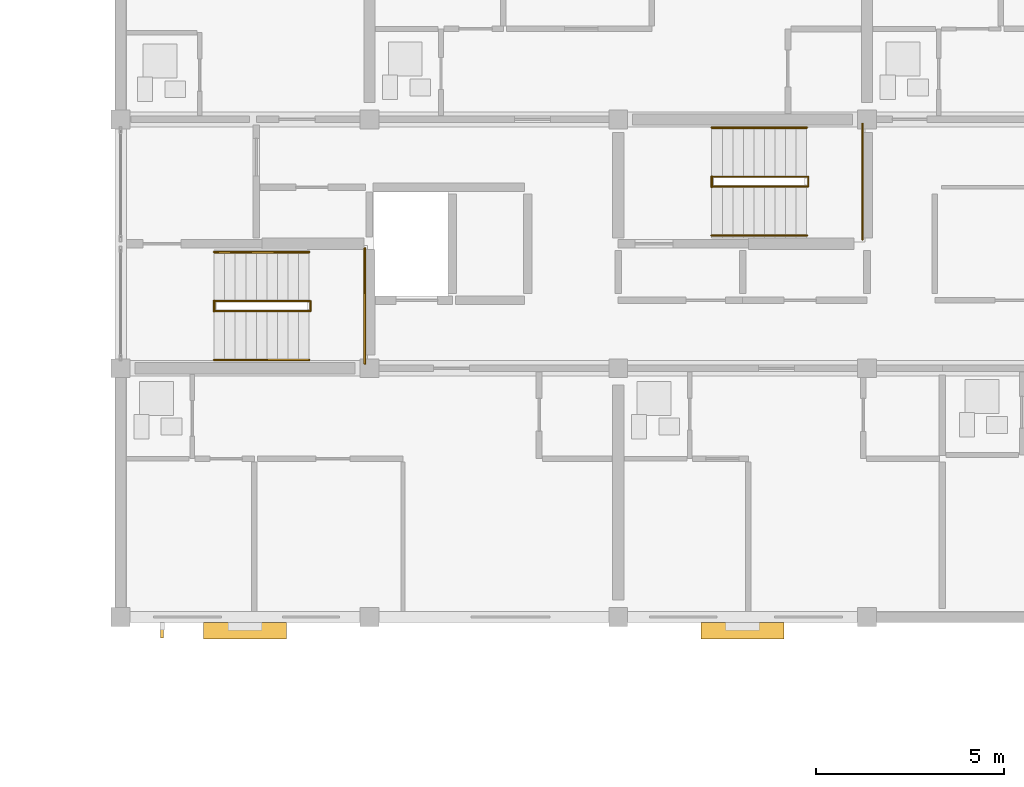
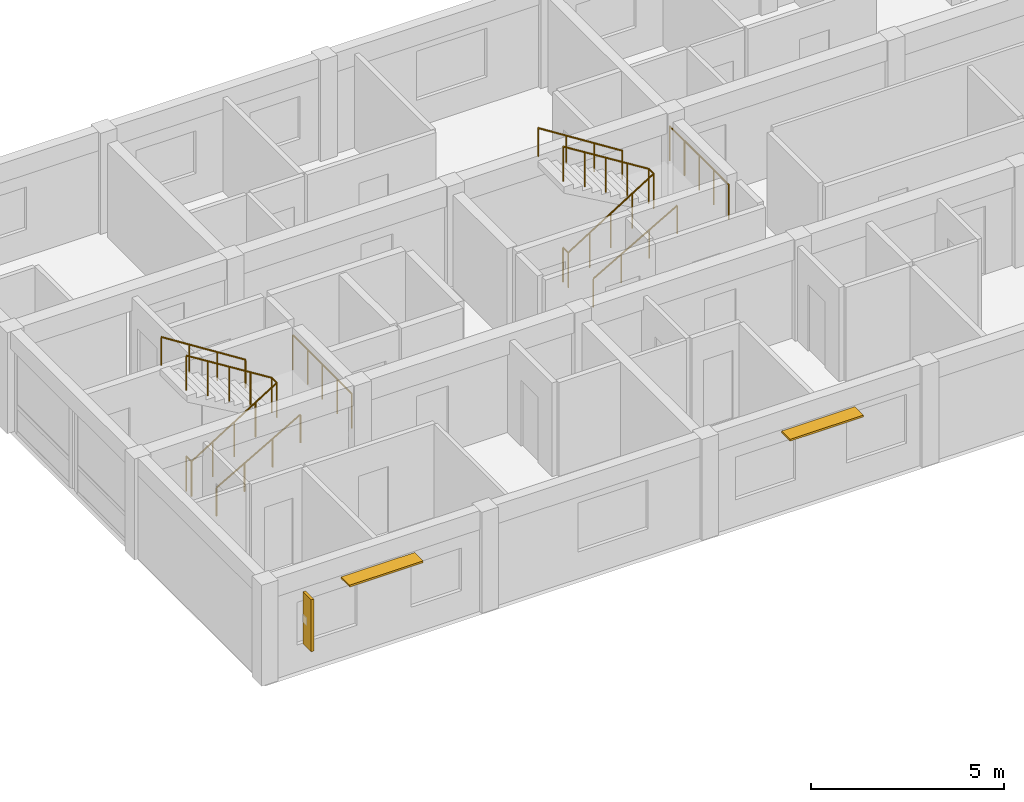
# One storey, part 47 of 49: 10 railings, 3 shading devices.
"""IFC4 building model written with IfcOpenShell, lengths in metres."""

from ifc_helpers import new_model, si_unit, direction, frame, origin, origin_2d, place, context, subcontext, project, spatial, rectangle, circle, extrude, material, layer, layer_set, type_object, element, save


model = new_model("IFC4")

# Units and contexts
model_context = context("Model", 3, precision=1e-05, world=origin(), true_north=direction((0.0, 1.0)))
body_context = subcontext(model_context, "Body", "Model", "MODEL_VIEW")
ifc_project = project(units=[si_unit("LENGTHUNIT", "METRE"), si_unit("AREAUNIT", "SQUARE_METRE"), si_unit("VOLUMEUNIT", "CUBIC_METRE"), si_unit("PLANEANGLEUNIT", "RADIAN"), si_unit("MASSUNIT", "GRAM", prefix="KILO")], contexts=[model_context])

# Site, building, storey
site_placement = place(None, origin())
site = spatial("IfcSite", under=ifc_project, at=site_placement, CompositionType="ELEMENT")
building_placement = place(site_placement, origin())
building = spatial("IfcBuilding", under=site, at=building_placement, Name="Kernevlak Ridge Housing Community", CompositionType="ELEMENT")
storey_placement = place(building_placement, frame((0.0, 0.0, 30.800048828125)))
storey = spatial("IfcBuildingStorey", under=building, at=storey_placement, Name="L09", CompositionType="ELEMENT", Elevation=30.800048828125)

# Railings
ifc_material_1 = material(Name="Steel S355", Category="steel")
railing_type_1 = type_object("IfcRailingType", Name="GR-02", PredefinedType="GUARDRAIL", material=ifc_material_1)
railing_1_placement = place(storey_placement, frame((121.8798828125, 90.7099609375, 0.0)))
element("IfcRailing", 1, at=railing_1_placement, inside=storey, type_object=railing_type_1, Name="Stair ST-B1 L09 well slot guard", PredefinedType="GUARDRAIL", context=body_context, shape_type="SweptSolid", body=[
    extrude(circle(Radius=0.02392578125, at=origin_2d()), frame((0.0, 0.0, 1.09619140625), z_axis=(0.0, 1.0, 0.0), x_axis=(-1.0, 0.0, 0.0)), (0.0, 0.0, 1.0), 0.280029296875),
    extrude(circle(Radius=0.02099609375, at=origin_2d()), origin(), (0.0, 0.0, 1.0), 1.072021484375),
    extrude(circle(Radius=0.02099609375, at=origin_2d()), frame((0.0, 0.280029296875, 0.0)), (0.0, 0.0, 1.0), 1.072021484375),
])
railing_2_placement = place(storey_placement, frame((121.8798828125, 90.719970703125, 0.0)))
element("IfcRailing", 2, at=railing_2_placement, inside=storey, type_object=railing_type_1, Name="Stair ST-B1 L09 inner well guardrail", PredefinedType="GUARDRAIL", context=body_context, shape_type="SweptSolid", body=[
    extrude(circle(Radius=0.02392578125, at=origin_2d()), frame((0.0, 0.0, 1.09619140625), z_axis=(0.848025563165, 0.0, 0.529955322851), x_axis=(0.0, 1.0, 0.0)), (0.0, 0.0, 1.0), 3.018798828125),
    extrude(circle(Radius=0.02392578125, at=origin_2d()), frame((2.56005859375, 0.0, 2.69580078125), z_axis=(0.0, 1.0, 0.0), x_axis=(-1.0, 0.0, 0.0)), (0.0, 0.0, 1.0), 0.260009765625),
    extrude(circle(Radius=0.02392578125, at=origin_2d()), frame((2.56005859375, 0.260009765625, 2.69580078125), z_axis=(-0.847989217509, 0.0, 0.530013478119), x_axis=(0.0, -1.0, 0.0)), (0.0, 0.0, 1.0), 3.01904296875),
    extrude(circle(Radius=0.02099609375, at=origin_2d()), origin(), (0.0, 0.0, 1.0), 1.072021484375),
    extrude(circle(Radius=0.02099609375, at=origin_2d()), frame((0.64013671875, 0.0, 0.39990234375)), (0.0, 0.0, 1.0), 1.072021484375),
    extrude(circle(Radius=0.02099609375, at=origin_2d()), frame((1.280029296875, 0.0, 0.7998046875)), (0.0, 0.0, 1.0), 1.072021484375),
    extrude(circle(Radius=0.02099609375, at=origin_2d()), frame((1.919921875, 0.0, 1.199951171875)), (0.0, 0.0, 1.0), 1.072021484375),
    extrude(circle(Radius=0.02099609375, at=origin_2d()), frame((2.56005859375, 0.0, 1.599853515625)), (0.0, 0.0, 1.0), 1.072021484375),
    extrude(circle(Radius=0.02099609375, at=origin_2d()), frame((2.56005859375, 0.260009765625, 1.599853515625)), (0.0, 0.0, 1.0), 1.072021484375),
    extrude(circle(Radius=0.02099609375, at=origin_2d()), frame((1.919921875, 0.260009765625, 2.0)), (0.0, 0.0, 1.0), 1.072021484375),
    extrude(circle(Radius=0.02099609375, at=origin_2d()), frame((1.280029296875, 0.260009765625, 2.39990234375)), (0.0, 0.0, 1.0), 1.072021484375),
    extrude(circle(Radius=0.02099609375, at=origin_2d()), frame((0.64013671875, 0.260009765625, 2.7998046875)), (0.0, 0.0, 1.0), 1.072021484375),
    extrude(circle(Radius=0.02099609375, at=origin_2d()), frame((0.0, 0.260009765625, 3.199951171875)), (0.0, 0.0, 1.0), 1.072021484375),
])
railing_3_placement = place(storey_placement, frame((125.8798828125, 89.320068359375, 1.599853515625)))
element("IfcRailing", 3, at=railing_3_placement, inside=storey, type_object=railing_type_1, Name="Stair ST-B1 L09 half-landing guard", PredefinedType="GUARDRAIL", context=body_context, shape_type="SweptSolid", body=[
    extrude(circle(Radius=0.02392578125, at=origin_2d()), frame((0.0, 0.0, 1.09619140625), z_axis=(0.0, 1.0, 0.0), x_axis=(-1.0, 0.0, 0.0)), (0.0, 0.0, 1.0), 3.059814453125),
    extrude(circle(Radius=0.02099609375, at=origin_2d()), origin(), (0.0, 0.0, 1.0), 1.072021484375),
    extrude(circle(Radius=0.02099609375, at=origin_2d()), frame((0.0, 0.764892578125, 0.0)), (0.0, 0.0, 1.0), 1.072021484375),
    extrude(circle(Radius=0.02099609375, at=origin_2d()), frame((0.0, 1.52978515625, 0.0)), (0.0, 0.0, 1.0), 1.072021484375),
    extrude(circle(Radius=0.02099609375, at=origin_2d()), frame((0.0, 2.294921875, 0.0)), (0.0, 0.0, 1.0), 1.072021484375),
    extrude(circle(Radius=0.02099609375, at=origin_2d()), frame((0.0, 3.059814453125, 0.0)), (0.0, 0.0, 1.0), 1.072021484375),
])
railing_4_placement = place(storey_placement, frame((135.080078125, 94.010009765625, 0.0)))
element("IfcRailing", 4, at=railing_4_placement, inside=storey, type_object=railing_type_1, Name="Stair ST-B2 L09 well slot guard", PredefinedType="GUARDRAIL", context=body_context, shape_type="SweptSolid", body=[
    extrude(circle(Radius=0.02392578125, at=origin_2d()), frame((0.0, 0.0, 1.09619140625), z_axis=(0.0, 1.0, 0.0), x_axis=(-1.0, 0.0, 0.0)), (0.0, 0.0, 1.0), 0.280029296875),
    extrude(circle(Radius=0.02099609375, at=origin_2d()), origin(), (0.0, 0.0, 1.0), 1.072021484375),
    extrude(circle(Radius=0.02099609375, at=origin_2d()), frame((0.0, 0.280029296875, 0.0)), (0.0, 0.0, 1.0), 1.072021484375),
])
railing_5_placement = place(storey_placement, frame((135.080078125, 94.02001953125, 0.0)))
element("IfcRailing", 5, at=railing_5_placement, inside=storey, type_object=railing_type_1, Name="Stair ST-B2 L09 inner well guardrail", PredefinedType="GUARDRAIL", context=body_context, shape_type="SweptSolid", body=[
    extrude(circle(Radius=0.02392578125, at=origin_2d()), frame((0.0, 0.0, 1.09619140625), z_axis=(0.848002847666, 0.0, 0.529991670077), x_axis=(0.0, 1.0, 0.0)), (0.0, 0.0, 1.0), 3.0185546875),
    extrude(circle(Radius=0.02392578125, at=origin_2d()), frame((2.559814453125, 0.0, 2.69580078125), z_axis=(0.0, 1.0, 0.0), x_axis=(-1.0, 0.0, 0.0)), (0.0, 0.0, 1.0), 0.260009765625),
    extrude(circle(Radius=0.02392578125, at=origin_2d()), frame((2.559814453125, 0.260009765625, 2.69580078125), z_axis=(-0.847966497998, 0.0, 0.530049826217), x_axis=(0.0, -1.0, 0.0)), (0.0, 0.0, 1.0), 3.018798828125),
    extrude(circle(Radius=0.02099609375, at=origin_2d()), origin(), (0.0, 0.0, 1.0), 1.072021484375),
    extrude(circle(Radius=0.02099609375, at=origin_2d()), frame((0.639892578125, 0.0, 0.39990234375)), (0.0, 0.0, 1.0), 1.072021484375),
    extrude(circle(Radius=0.02099609375, at=origin_2d()), frame((1.27978515625, 0.0, 0.7998046875)), (0.0, 0.0, 1.0), 1.072021484375),
    extrude(circle(Radius=0.02099609375, at=origin_2d()), frame((1.919921875, 0.0, 1.199951171875)), (0.0, 0.0, 1.0), 1.072021484375),
    extrude(circle(Radius=0.02099609375, at=origin_2d()), frame((2.559814453125, 0.0, 1.599853515625)), (0.0, 0.0, 1.0), 1.072021484375),
    extrude(circle(Radius=0.02099609375, at=origin_2d()), frame((2.559814453125, 0.260009765625, 1.599853515625)), (0.0, 0.0, 1.0), 1.072021484375),
    extrude(circle(Radius=0.02099609375, at=origin_2d()), frame((1.919921875, 0.260009765625, 2.0)), (0.0, 0.0, 1.0), 1.072021484375),
    extrude(circle(Radius=0.02099609375, at=origin_2d()), frame((1.27978515625, 0.260009765625, 2.39990234375)), (0.0, 0.0, 1.0), 1.072021484375),
    extrude(circle(Radius=0.02099609375, at=origin_2d()), frame((0.639892578125, 0.260009765625, 2.7998046875)), (0.0, 0.0, 1.0), 1.072021484375),
    extrude(circle(Radius=0.02099609375, at=origin_2d()), frame((0.0, 0.260009765625, 3.199951171875)), (0.0, 0.0, 1.0), 1.072021484375),
])
railing_6_placement = place(storey_placement, frame((139.080078125, 92.6201171875, 1.599853515625)))
element("IfcRailing", 6, at=railing_6_placement, inside=storey, type_object=railing_type_1, Name="Stair ST-B2 L09 half-landing guard", PredefinedType="GUARDRAIL", context=body_context, shape_type="SweptSolid", body=[
    extrude(circle(Radius=0.02392578125, at=origin_2d()), frame((0.0, 0.0, 1.09619140625), z_axis=(0.0, 1.0, 0.0), x_axis=(-1.0, 0.0, 0.0)), (0.0, 0.0, 1.0), 3.059814453125),
    extrude(circle(Radius=0.02099609375, at=origin_2d()), origin(), (0.0, 0.0, 1.0), 1.072021484375),
    extrude(circle(Radius=0.02099609375, at=origin_2d()), frame((0.0, 0.764892578125, 0.0)), (0.0, 0.0, 1.0), 1.072021484375),
    extrude(circle(Radius=0.02099609375, at=origin_2d()), frame((0.0, 1.52978515625, 0.0)), (0.0, 0.0, 1.0), 1.072021484375),
    extrude(circle(Radius=0.02099609375, at=origin_2d()), frame((0.0, 2.294921875, 0.0)), (0.0, 0.0, 1.0), 1.072021484375),
    extrude(circle(Radius=0.02099609375, at=origin_2d()), frame((0.0, 3.059814453125, 0.0)), (0.0, 0.0, 1.0), 1.072021484375),
])
ifc_material_2 = material(Name="Stainless steel EN 1.4401", Category="steel")
railing_type_2 = type_object("IfcRailingType", Name="HR-01", PredefinedType="HANDRAIL", material=ifc_material_2)
railing_7_placement = place(storey_placement, frame((121.8798828125, 89.419921875, 0.159912109375)))
element("IfcRailing", 7, at=railing_7_placement, inside=storey, type_object=railing_type_2, Name="Stair ST-B1 L09 flight 1 handrail", PredefinedType="HANDRAIL", context=body_context, shape_type="SweptSolid", body=[
    extrude(circle(Radius=0.02392578125, at=origin_2d()), frame((0.0, 0.0, 0.89599609375), z_axis=(0.868253494771, 0.0, 0.496120820787), x_axis=(0.0, 1.0, 0.0)), (0.0, 0.0, 1.0), 2.90234375),
    extrude(circle(Radius=0.02099609375, at=origin_2d()), origin(), (0.0, 0.0, 1.0), 0.871826171875),
    extrude(circle(Radius=0.02099609375, at=origin_2d()), frame((0.840087890625, 0.0, 0.47998046875)), (0.0, 0.0, 1.0), 0.871826171875),
    extrude(circle(Radius=0.02099609375, at=origin_2d()), frame((1.679931640625, 0.0, 0.9599609375)), (0.0, 0.0, 1.0), 0.871826171875),
    extrude(circle(Radius=0.02099609375, at=origin_2d()), frame((2.52001953125, 0.0, 1.43994140625)), (0.0, 0.0, 1.0), 0.871826171875),
])
railing_8_placement = place(storey_placement, frame((124.39990234375, 92.280029296875, 1.599853515625)))
element("IfcRailing", 8, at=railing_8_placement, inside=storey, type_object=railing_type_2, Name="Stair ST-B1 L09 flight 2 handrail", PredefinedType="HANDRAIL", context=body_context, shape_type="SweptSolid", body=[
    extrude(circle(Radius=0.02392578125, at=origin_2d()), frame((0.0, 0.0, 0.89599609375), z_axis=(-0.844199891302, 0.0, 0.536028491338), x_axis=(0.0, -1.0, 0.0)), (0.0, 0.0, 1.0), 2.985107421875),
    extrude(circle(Radius=0.02099609375, at=origin_2d()), origin(), (0.0, 0.0, 1.0), 0.871826171875),
    extrude(circle(Radius=0.02099609375, at=origin_2d()), frame((-0.840087890625, 0.0, 0.533447265625)), (0.0, 0.0, 1.0), 0.871826171875),
    extrude(circle(Radius=0.02099609375, at=origin_2d()), frame((-1.679931640625, 0.0, 1.066650390625)), (0.0, 0.0, 1.0), 0.871826171875),
    extrude(circle(Radius=0.02099609375, at=origin_2d()), frame((-2.52001953125, 0.0, 1.60009765625)), (0.0, 0.0, 1.0), 0.871826171875),
])
railing_9_placement = place(storey_placement, frame((135.080078125, 92.719970703125, 0.159912109375)))
element("IfcRailing", 9, at=railing_9_placement, inside=storey, type_object=railing_type_2, Name="Stair ST-B2 L09 flight 1 handrail", PredefinedType="HANDRAIL", context=body_context, shape_type="SweptSolid", body=[
    extrude(circle(Radius=0.02392578125, at=origin_2d()), frame((0.0, 0.0, 0.89599609375), z_axis=(0.868253494771, 0.0, 0.496120820787), x_axis=(0.0, 1.0, 0.0)), (0.0, 0.0, 1.0), 2.90234375),
    extrude(circle(Radius=0.02099609375, at=origin_2d()), origin(), (0.0, 0.0, 1.0), 0.871826171875),
    extrude(circle(Radius=0.02099609375, at=origin_2d()), frame((0.840087890625, 0.0, 0.47998046875)), (0.0, 0.0, 1.0), 0.871826171875),
    extrude(circle(Radius=0.02099609375, at=origin_2d()), frame((1.679931640625, 0.0, 0.9599609375)), (0.0, 0.0, 1.0), 0.871826171875),
    extrude(circle(Radius=0.02099609375, at=origin_2d()), frame((2.52001953125, 0.0, 1.43994140625)), (0.0, 0.0, 1.0), 0.871826171875),
])
railing_10_placement = place(storey_placement, frame((137.60009765625, 95.580078125, 1.599853515625)))
element("IfcRailing", 10, at=railing_10_placement, inside=storey, type_object=railing_type_2, Name="Stair ST-B2 L09 flight 2 handrail", PredefinedType="HANDRAIL", context=body_context, shape_type="SweptSolid", body=[
    extrude(circle(Radius=0.02392578125, at=origin_2d()), frame((0.0, 0.0, 0.89599609375), z_axis=(-0.844199891302, 0.0, 0.536028491338), x_axis=(0.0, -1.0, 0.0)), (0.0, 0.0, 1.0), 2.985107421875),
    extrude(circle(Radius=0.02099609375, at=origin_2d()), origin(), (0.0, 0.0, 1.0), 0.871826171875),
    extrude(circle(Radius=0.02099609375, at=origin_2d()), frame((-0.840087890625, 0.0, 0.533447265625)), (0.0, 0.0, 1.0), 0.871826171875),
    extrude(circle(Radius=0.02099609375, at=origin_2d()), frame((-1.679931640625, 0.0, 1.066650390625)), (0.0, 0.0, 1.0), 0.871826171875),
    extrude(circle(Radius=0.02099609375, at=origin_2d()), frame((-2.52001953125, 0.0, 1.60009765625)), (0.0, 0.0, 1.0), 0.871826171875),
])

# Shading devices
ifc_material_3 = material(Name="Aluminium EN AW-6060 anodised", Category="aluminium")
ifc_layer = layer(ifc_material_3, 0.06005859375, Name="Aluminium EN AW-6060 anodised")
ifc_layer_set = layer_set([ifc_layer], Name="Aluminium EN AW-6060 anodised")
shading_device_type_1 = type_object("IfcShadingDeviceType", Name="LV-01", PredefinedType="JALOUSIE", material=ifc_layer_set)
for number, where, z_axis, x_axis, name in (
    (11, (122.699951171875, 82.239990234375, 2.489990234375), (0.0, 0.0, 1.0), (1.0, 0.0, 0.0), "Horizontal solar louvre 23"),
    (12, (135.89990234375, 82.239990234375, 2.489990234375), (0.0, 0.0, 1.0), (1.0, 0.0, 0.0), "Horizontal solar louvre 24"),
):
    element("IfcShadingDevice", number, at=place(storey_placement, frame(where, z_axis=z_axis, x_axis=x_axis)), inside=storey, type_object=shading_device_type_1, Name=name, PredefinedType="JALOUSIE", context=body_context, shape_type="SweptSolid", body=[
        extrude(rectangle(XDim=2.199951171875, YDim=0.43994140625, at=origin_2d()), origin(), (0.0, 0.0, 1.0), 0.06005859375),
    ])
ifc_material_4 = material(Name="Aluminium EN AW-6060 enamelled", Category="aluminium")
shading_device_type_2 = type_object("IfcShadingDeviceType", Name="LV-02", PredefinedType="USERDEFINED", material=ifc_material_4)
shading_device_placement = place(storey_placement, frame((120.5, 82.25, 0.824951171875), z_axis=(0.0, 0.0, 1.0), x_axis=(1.0, 0.0, 0.0)))
element("IfcShadingDevice", 13, at=shading_device_placement, inside=storey, type_object=shading_device_type_2, Name="De Stijl yellow vertical solar fin 23", ObjectType="LOUVRE", PredefinedType="USERDEFINED", context=body_context, shape_type="SweptSolid", body=[
    extrude(rectangle(XDim=0.080078125, YDim=0.419921875, at=origin_2d()), origin(), (0.0, 0.0, 1.0), 1.64990234375),
])

save(model, "model.ifc")
